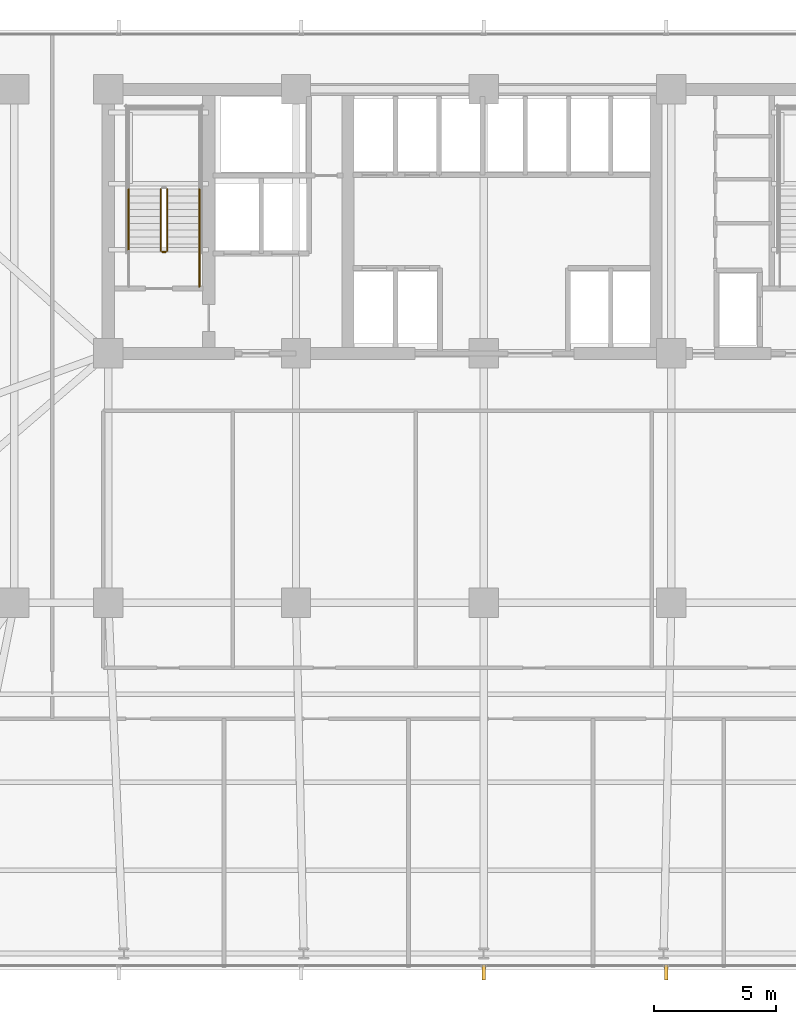
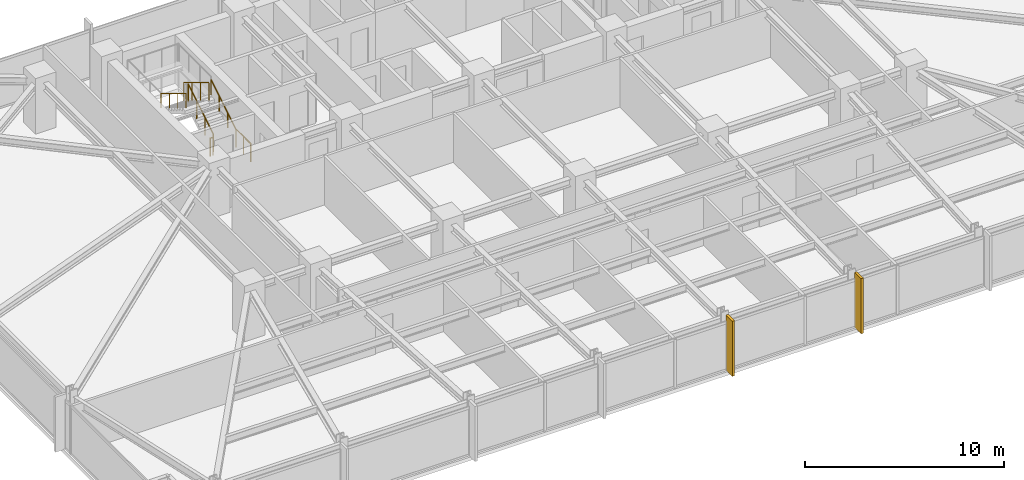
# One storey, part 28 of 32: 6 railings, 2 shading devices.
"""IFC4 building model written with IfcOpenShell, lengths in metres."""

from ifc_helpers import new_model, si_unit, direction, frame, origin, origin_2d, place, context, subcontext, project, spatial, rectangle, circle, extrude, material, layer, layer_set, type_object, element, save


model = new_model("IFC4")

# Units and contexts
model_context = context("Model", 3, precision=1e-05, world=origin(), true_north=direction((0.0, 1.0)))
body_context = subcontext(model_context, "Body", "Model", "MODEL_VIEW")
ifc_project = project(units=[si_unit("LENGTHUNIT", "METRE"), si_unit("AREAUNIT", "SQUARE_METRE"), si_unit("VOLUMEUNIT", "CUBIC_METRE"), si_unit("PLANEANGLEUNIT", "RADIAN"), si_unit("MASSUNIT", "GRAM", prefix="KILO")], contexts=[model_context])

# Site, building, storey
site_placement = place(None, origin())
site = spatial("IfcSite", under=ifc_project, at=site_placement, CompositionType="ELEMENT")
building_placement = place(site_placement, origin())
building = spatial("IfcBuilding", under=site, at=building_placement, Name="Yelkora Congress Tower", CompositionType="ELEMENT")
storey_placement = place(building_placement, frame((0.0, 0.0, 74.60009765625)))
storey = spatial("IfcBuildingStorey", under=building, at=storey_placement, Name="L19", CompositionType="ELEMENT", Elevation=74.60009765625)

# Railings
ifc_material_1 = material(Name="Painted galvanised steel stair well guard with vertical infill", Category="steel")
ifc_layer_1 = layer(ifc_material_1, 0.06005859375)
ifc_layer_set_1 = layer_set([ifc_layer_1], Name="Painted galvanised steel stair well guard with vertical infill")
railing_type_1 = type_object("IfcRailingType", Name="RAIL-STAIR-GUARD-1120", PredefinedType="GUARDRAIL", material=ifc_layer_set_1)
railing_1_placement = place(storey_placement, frame((25.449951171875, 39.60009765625, 0.169921875)))
element("IfcRailing", 1, at=railing_1_placement, inside=storey, type_object=railing_type_1, Name="ST-01 L19 Stair Well Guardrail 1", PredefinedType="GUARDRAIL", context=body_context, shape_type="SweptSolid", body=[
    extrude(circle(Radius=0.02392578125, at=origin_2d()), frame((0.0, 0.0, 1.09619140625), z_axis=(0.0, 0.85478489116, 0.518982456201), x_axis=(-1.0, 0.0, 0.0)), (0.0, 0.0, 1.0), 2.9482421875),
    extrude(circle(Radius=0.02099609375, at=origin_2d()), origin(), (0.0, 0.0, 1.0), 1.072021484375),
    extrude(circle(Radius=0.02099609375, at=origin_2d()), frame((0.0, 0.840087890625, 0.510009765625)), (0.0, 0.0, 1.0), 1.072021484375),
    extrude(circle(Radius=0.02099609375, at=origin_2d()), frame((0.0, 1.679931640625, 1.02001953125)), (0.0, 0.0, 1.0), 1.072021484375),
    extrude(circle(Radius=0.02099609375, at=origin_2d()), frame((0.0, 2.52001953125, 1.530029296875)), (0.0, 0.0, 1.0), 1.072021484375),
])
railing_2_placement = place(storey_placement, frame((25.18994140625, 42.1201171875, 1.869873046875)))
element("IfcRailing", 2, at=railing_2_placement, inside=storey, type_object=railing_type_1, Name="ST-01 L19 Stair Well Guardrail 6", PredefinedType="GUARDRAIL", context=body_context, shape_type="SweptSolid", body=[
    extrude(circle(Radius=0.02392578125, at=origin_2d()), frame((0.0, 0.0, 1.09619140625), z_axis=(0.0, -0.85478489116, 0.518982456201), x_axis=(1.0, 0.0, 0.0)), (0.0, 0.0, 1.0), 2.9482421875),
    extrude(circle(Radius=0.02099609375, at=origin_2d()), origin(), (0.0, 0.0, 1.0), 1.072021484375),
    extrude(circle(Radius=0.02099609375, at=origin_2d()), frame((0.0, -0.840087890625, 0.510009765625)), (0.0, 0.0, 1.0), 1.072021484375),
    extrude(circle(Radius=0.02099609375, at=origin_2d()), frame((0.0, -1.679931640625, 1.02001953125)), (0.0, 0.0, 1.0), 1.072021484375),
    extrude(circle(Radius=0.02099609375, at=origin_2d()), frame((0.0, -2.52001953125, 1.530029296875)), (0.0, 0.0, 1.0), 1.072021484375),
])
railing_3_placement = place(storey_placement, frame((25.39990234375, 39.550048828125, 0.0)))
element("IfcRailing", 3, at=railing_3_placement, inside=storey, type_object=railing_type_1, Name="ST-01 L19 Stair Well Guardrail 7", PredefinedType="GUARDRAIL", context=body_context, shape_type="SweptSolid", body=[
    extrude(circle(Radius=0.02392578125, at=origin_2d()), frame((0.0, 0.0, 1.09619140625), z_axis=(-1.0, 0.0, 0.0), x_axis=(0.0, -1.0, 0.0)), (0.0, 0.0, 1.0), 0.159912109375),
    extrude(circle(Radius=0.02099609375, at=origin_2d()), origin(), (0.0, 0.0, 1.0), 1.072021484375),
    extrude(circle(Radius=0.02099609375, at=origin_2d()), frame((-0.159912109375, 0.0, 0.0)), (0.0, 0.0, 1.0), 1.072021484375),
])
railing_4_placement = place(storey_placement, frame((26.77001953125, 38.1201171875, 0.0)))
element("IfcRailing", 4, at=railing_4_placement, inside=storey, type_object=railing_type_1, Name="ST-01 L19 Stair Well Guardrail 8", PredefinedType="GUARDRAIL", context=body_context, shape_type="SweptSolid", body=[
    extrude(circle(Radius=0.02392578125, at=origin_2d()), frame((0.0, 0.0, 1.09619140625), z_axis=(0.0, 1.0, 0.0), x_axis=(-1.0, 0.0, 0.0)), (0.0, 0.0, 1.0), 1.47998046875),
    extrude(circle(Radius=0.02099609375, at=origin_2d()), origin(), (0.0, 0.0, 1.0), 1.072021484375),
    extrude(circle(Radius=0.02099609375, at=origin_2d()), frame((0.0, 0.739990234375, 0.0)), (0.0, 0.0, 1.0), 1.072021484375),
    extrude(circle(Radius=0.02099609375, at=origin_2d()), frame((0.0, 1.47998046875, 0.0)), (0.0, 0.0, 1.0), 1.072021484375),
])
ifc_material_2 = material(Name="Brushed stainless steel tubular handrail", Category="steel")
ifc_layer_2 = layer(ifc_material_2, 0.050048828125)
ifc_layer_set_2 = layer_set([ifc_layer_2], Name="Brushed stainless steel tubular handrail")
railing_type_2 = type_object("IfcRailingType", Name="RAIL-STAIR-HAND-920", PredefinedType="HANDRAIL", material=ifc_layer_set_2)
railing_5_placement = place(storey_placement, frame((26.77001953125, 39.60009765625, 0.169921875)))
element("IfcRailing", 5, at=railing_5_placement, inside=storey, type_object=railing_type_2, Name="ST-01 L19 Pitch Handrail 1", PredefinedType="HANDRAIL", context=body_context, shape_type="SweptSolid", body=[
    extrude(circle(Radius=0.02392578125, at=origin_2d()), frame((0.0, 0.0, 0.89599609375), z_axis=(0.0, 0.85478489116, 0.518982456201), x_axis=(-1.0, 0.0, 0.0)), (0.0, 0.0, 1.0), 2.9482421875),
    extrude(circle(Radius=0.02099609375, at=origin_2d()), origin(), (0.0, 0.0, 1.0), 0.871826171875),
    extrude(circle(Radius=0.02099609375, at=origin_2d()), frame((0.0, 0.840087890625, 0.510009765625)), (0.0, 0.0, 1.0), 0.871826171875),
    extrude(circle(Radius=0.02099609375, at=origin_2d()), frame((0.0, 1.679931640625, 1.02001953125)), (0.0, 0.0, 1.0), 0.871826171875),
    extrude(circle(Radius=0.02099609375, at=origin_2d()), frame((0.0, 2.52001953125, 1.530029296875)), (0.0, 0.0, 1.0), 0.871826171875),
])
railing_6_placement = place(storey_placement, frame((23.8701171875, 42.1201171875, 1.869873046875)))
element("IfcRailing", 6, at=railing_6_placement, inside=storey, type_object=railing_type_2, Name="ST-01 L19 Pitch Handrail 2", PredefinedType="HANDRAIL", context=body_context, shape_type="SweptSolid", body=[
    extrude(circle(Radius=0.02392578125, at=origin_2d()), frame((0.0, 0.0, 0.89599609375), z_axis=(0.0, -0.85478489116, 0.518982456201), x_axis=(1.0, 0.0, 0.0)), (0.0, 0.0, 1.0), 2.9482421875),
    extrude(circle(Radius=0.02099609375, at=origin_2d()), origin(), (0.0, 0.0, 1.0), 0.871826171875),
    extrude(circle(Radius=0.02099609375, at=origin_2d()), frame((0.0, -0.840087890625, 0.510009765625)), (0.0, 0.0, 1.0), 0.871826171875),
    extrude(circle(Radius=0.02099609375, at=origin_2d()), frame((0.0, -1.679931640625, 1.02001953125)), (0.0, 0.0, 1.0), 0.871826171875),
    extrude(circle(Radius=0.02099609375, at=origin_2d()), frame((0.0, -2.52001953125, 1.530029296875)), (0.0, 0.0, 1.0), 0.871826171875),
])

# Shading devices
ifc_material_3 = material(Name="Champagne anodised aluminium", Category="aluminium")
ifc_layer_3 = layer(ifc_material_3, 3.39990234375)
ifc_layer_set_3 = layer_set([ifc_layer_3], Name="Champagne anodised aluminium")
shading_device_type = type_object("IfcShadingDeviceType", Name="SHD-FIN-ALU-640", PredefinedType="USERDEFINED", material=ifc_layer_set_3)
for number, where, z_axis, x_axis, name in (
    (7, (45.864990234375, 10.080078125, -0.030029296875), (0.0, 0.0, 1.0), (-1.0, 0.0, 0.0), "L19 Vertical Anodised Solar Fin 20-3"),
    (8, (38.39990234375, 10.080078125, -0.030029296875), (0.0, 0.0, 1.0), (-1.0, 0.0, 0.0), "L19 Vertical Anodised Solar Fin 20-4"),
):
    element("IfcShadingDevice", number, at=place(storey_placement, frame(where, z_axis=z_axis, x_axis=x_axis)), inside=storey, type_object=shading_device_type, Name=name, ObjectType="FIN", PredefinedType="USERDEFINED", context=body_context, shape_type="SweptSolid", body=[
        extrude(rectangle(XDim=0.139892578125, YDim=0.639892578125, at=origin_2d()), origin(), (0.0, 0.0, 1.0), 3.3798828125),
    ])

save(model, "model.ifc")
